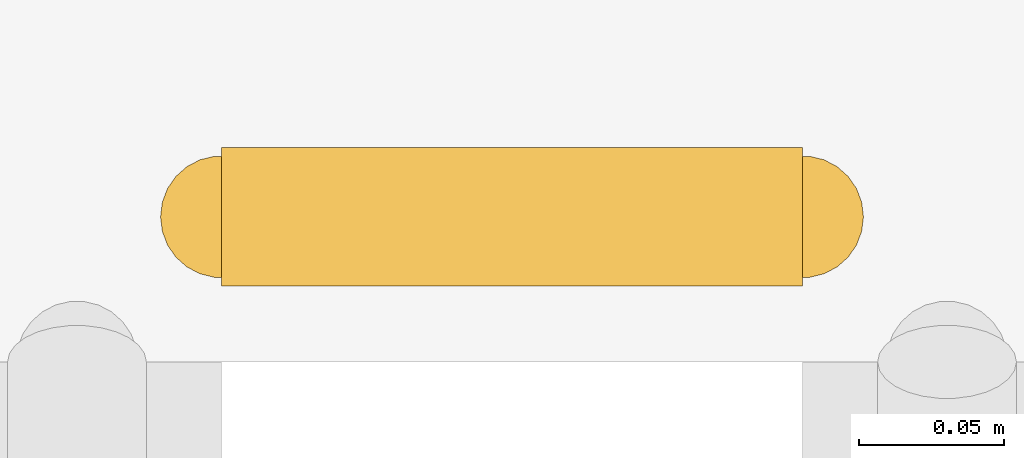
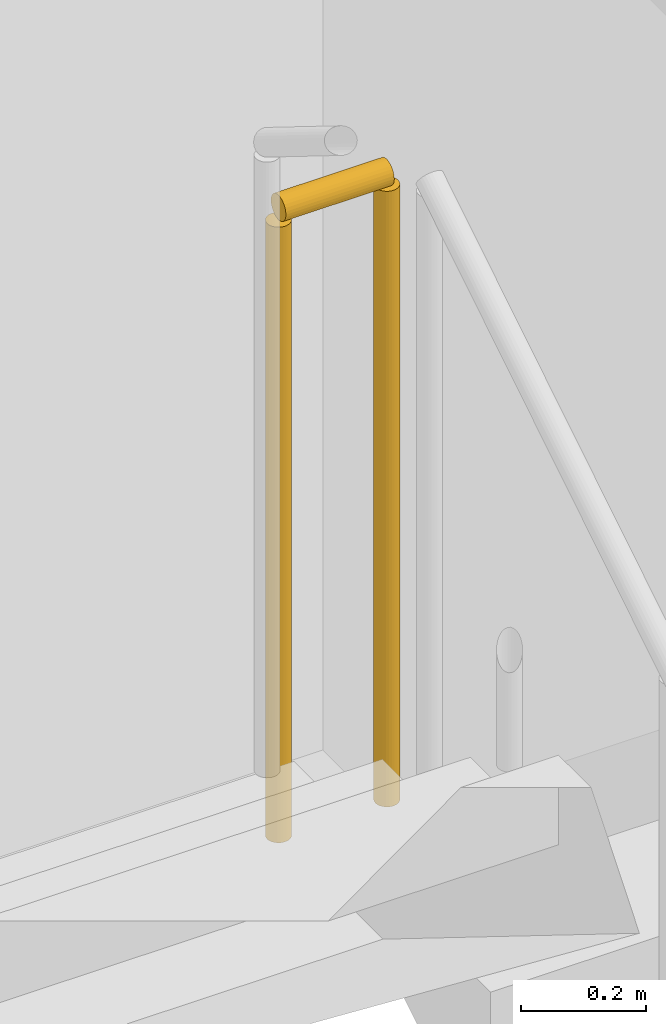
# One storey, part 12 of 12: 1 railing.
"""IFC4 building model written with IfcOpenShell, lengths in metres."""

from ifc_helpers import new_model, si_unit, direction, frame, origin, origin_2d, place, context, subcontext, project, spatial, circle, extrude, material, type_object, element, save


model = new_model("IFC4")

# Units and contexts
model_context = context("Model", 3, precision=1e-05, world=origin(), true_north=direction((0.0, 1.0)))
body_context = subcontext(model_context, "Body", "Model", "MODEL_VIEW")
ifc_project = project(units=[si_unit("LENGTHUNIT", "METRE"), si_unit("AREAUNIT", "SQUARE_METRE"), si_unit("VOLUMEUNIT", "CUBIC_METRE"), si_unit("PLANEANGLEUNIT", "RADIAN"), si_unit("MASSUNIT", "GRAM", prefix="KILO")], contexts=[model_context])

# Site, building, storey
site_placement = place(None, origin())
site = spatial("IfcSite", under=ifc_project, at=site_placement, CompositionType="ELEMENT")
building_placement = place(site_placement, origin())
building = spatial("IfcBuilding", under=site, at=building_placement, Name="Ochreholt Gables", CompositionType="ELEMENT")
storey_placement = place(building_placement, frame((0.0, 0.0, 117.0)))
storey = spatial("IfcBuildingStorey", under=building, at=storey_placement, Name="L30", CompositionType="ELEMENT", Elevation=117.0)

# Railing
ifc_material = material(Name="Painted Steel Stair Guardrail", Category="steel")
railing_type = type_object("IfcRailingType", Name="RL-ST-GUARD", PredefinedType="GUARDRAIL", material=ifc_material)
railing_placement = place(storey_placement, frame((26.60009765625, 35.612060546875, 2.10009765625)))
element("IfcRailing", 1, at=railing_placement, inside=storey, type_object=railing_type, Name="L30 ST-2 stair guard 2", PredefinedType="GUARDRAIL", context=body_context, shape_type="SweptSolid", body=[
    extrude(circle(Radius=0.02392578125, at=origin_2d()), frame((0.0, 0.0, 1.22607421875), z_axis=(-1.0, 0.0, 0.0), x_axis=(0.0, -1.0, 0.0)), (0.0, 0.0, 1.0), 0.2001953125),
    extrude(circle(Radius=0.02099609375, at=origin_2d()), origin(), (0.0, 0.0, 1.0), 1.201904296875),
    extrude(circle(Radius=0.02099609375, at=origin_2d()), frame((-0.2001953125, 0.0, 0.0)), (0.0, 0.0, 1.0), 1.201904296875),
])

save(model, "model.ifc")
